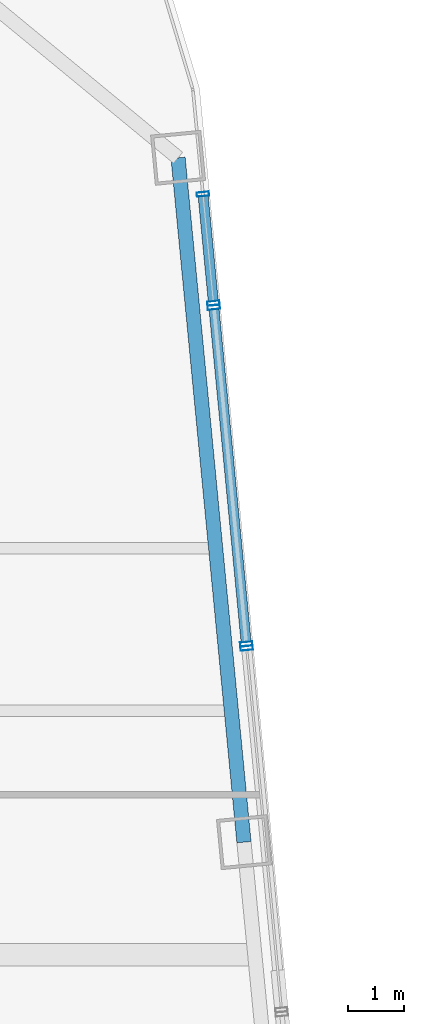
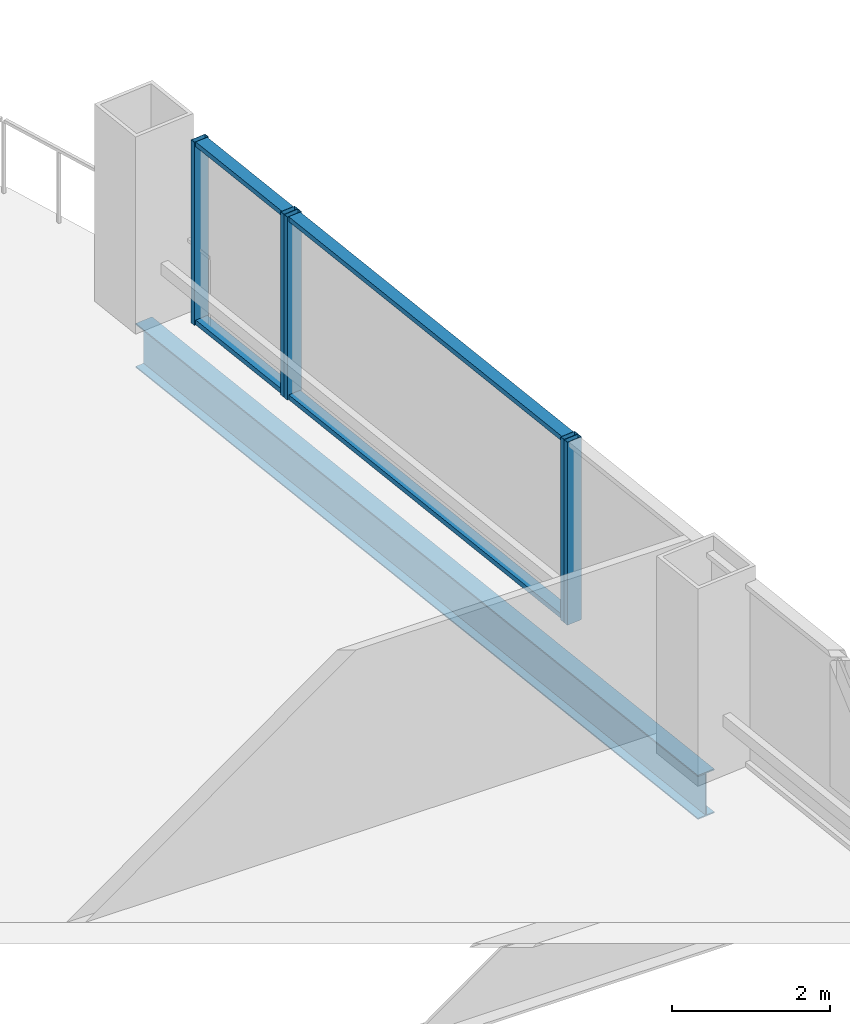
# One storey, part 26 of 34: 9 members, 1 beam, 3 elements without a shape of their own.
"""IFC4 building model written with IfcOpenShell, lengths in metres."""

from ifc_helpers import new_model, si_unit, direction, frame, origin, origin_2d, place, context, subcontext, project, spatial, hollow_rectangle, i_section, extrude, material, layer, layer_set, material_profile, profile_set, type_object, element, aggregate, save


model = new_model("IFC4")

# Units and contexts
model_context = context("Model", 3, precision=1e-05, world=origin(), true_north=direction((0.0, 1.0)))
body_context = subcontext(model_context, "Body", "Model", "MODEL_VIEW")
ifc_project = project(units=[si_unit("LENGTHUNIT", "METRE"), si_unit("AREAUNIT", "SQUARE_METRE"), si_unit("VOLUMEUNIT", "CUBIC_METRE"), si_unit("PLANEANGLEUNIT", "RADIAN"), si_unit("MASSUNIT", "GRAM", prefix="KILO")], contexts=[model_context])

# Site, building, storey
site_placement = place(None, origin())
site = spatial("IfcSite", under=ifc_project, at=site_placement, CompositionType="ELEMENT")
building_placement = place(site_placement, origin())
building = spatial("IfcBuilding", under=site, at=building_placement, Name="Qhalaya Broadcast Tower", CompositionType="ELEMENT")
storey_placement = place(building_placement, frame((0.0, 0.0, 78.60009765625)))
storey = spatial("IfcBuildingStorey", under=building, at=storey_placement, Name="L22", CompositionType="ELEMENT", Elevation=78.60009765625)

# Beam
ifc_material_1 = material(Name="Structural Steel ASTM A992 Grade 50", Category="steel")
ifc_material_profile_1 = material_profile(ifc_material_1, i_section(OverallWidth=0.25390625, OverallDepth=0.68310546875, WebThickness=0.012451171875, FlangeThickness=0.01904296875, at=origin_2d()), Name="W27X94")
ifc_profile_set_1 = profile_set([ifc_material_profile_1], Name="Structural Steel ASTM A992 Grade 50")
beam_type = type_object("IfcBeamType", Name="Perimeter Ring Spandrel Beam SP1", PredefinedType="SPANDREL", material=ifc_profile_set_1)
beam_placement = place(storey_placement, frame((26.941162109375, 11.955078125, -0.5615234375), z_axis=(-0.095851586307, 0.99539563662, 0.0), x_axis=(-0.99539563662, -0.095851586307, 0.0)))
element("IfcBeam", 1, at=beam_placement, inside=storey, type_object=beam_type, Name="L22 SP1 L22-SPR-07", PredefinedType="SPANDREL", context=body_context, shape_type="SweptSolid", body=[
    extrude(i_section(OverallWidth=0.25390625, OverallDepth=0.68310546875, WebThickness=0.012451171875, FlangeThickness=0.01904296875, at=origin_2d()), origin(), (0.0, 0.0, 1.0), 12.2666015625),
])

# Curtain wall, member
ifc_material_2 = material(Name="Solar-Control Low-E Triple Glazing", Category="glass")
ifc_layer_1 = layer(ifc_material_2, 0.219970703125, Name="Solar-Control Low-E Triple Glazing")
ifc_layer_set_1 = layer_set([ifc_layer_1], Name="Solar-Control Low-E Triple Glazing")
curtain_wall_type_1 = type_object("IfcCurtainWallType", Name="Even-Block 4-Storey Double-Module Curtain Wall CW-03", PredefinedType="NOTDEFINED", material=ifc_layer_set_1)
curtain_wall_1_placement = place(storey_placement, origin())
curtain_wall_1 = element("IfcCurtainWall", 2, at=curtain_wall_1_placement, inside=storey, type_object=curtain_wall_type_1, Name="L22 Unitised Curtain Wall L22-CW-E5", PredefinedType="NOTDEFINED")
ifc_material_3 = material(Name="Anodised Aluminium 6063-T6", Category="aluminium")
ifc_material_profile_2 = material_profile(ifc_material_3, hollow_rectangle(XDim=0.074951171875, YDim=0.219970703125, WallThickness=0.00390625, at=origin_2d()), Name="ALU-MUL 75x220x4")
ifc_profile_set_2 = profile_set([ifc_material_profile_2], Name="Anodised Aluminium 6063-T6")
member_type_1 = type_object("IfcMemberType", Name="Unitised Curtain-Wall Mullion M01", PredefinedType="MULLION", material=ifc_profile_set_2)
member_1_placement = place(storey_placement, frame((26.989501953125, 15.416748046875, 0.0), z_axis=(0.0, 0.0, 1.0), x_axis=(-0.095852453314, 0.995395553131, 0.0)))
member_1 = element("IfcMember", 3, at=member_1_placement, type_object=member_type_1, Name="CW-03 mullion 2", PredefinedType="MULLION", context=body_context, shape_type="SweptSolid", body=[
    extrude(hollow_rectangle(XDim=0.074951171875, YDim=0.219970703125, WallThickness=0.00390625, at=origin_2d()), origin(), (0.0, 0.0, 1.0), 2.829833984375),
])
aggregate(curtain_wall_1, [member_1])

# Curtain wall, members
ifc_material_4 = material(Name="Fired Architectural Terracotta", Category="masonry")
ifc_layer_2 = layer(ifc_material_4, 0.219970703125, Name="Fired Architectural Terracotta")
ifc_layer_set_2 = layer_set([ifc_layer_2], Name="Fired Architectural Terracotta")
curtain_wall_type_2 = type_object("IfcCurtainWallType", Name="Block-Cap Unitised Terracotta Spandrel Wall CW-07", PredefinedType="NOTDEFINED", material=ifc_layer_set_2)
curtain_wall_2_placement = place(storey_placement, origin())
curtain_wall_2 = element("IfcCurtainWall", 4, at=curtain_wall_2_placement, inside=storey, type_object=curtain_wall_type_2, Name="L22 Unitised Curtain Wall L22-CW-E6", PredefinedType="NOTDEFINED")
member_2_placement = place(storey_placement, frame((26.982421875, 15.4912109375, 0.0), z_axis=(0.0, 0.0, 1.0), x_axis=(-0.095841848125, 0.99539657431, 0.0)))
member_2 = element("IfcMember", 5, at=member_2_placement, type_object=member_type_1, Name="CW-07 mullion 1", PredefinedType="MULLION", context=body_context, shape_type="SweptSolid", body=[
    extrude(hollow_rectangle(XDim=0.074951171875, YDim=0.219970703125, WallThickness=0.00390625, at=origin_2d()), origin(), (0.0, 0.0, 1.0), 2.829833984375),
])
member_3_placement = place(storey_placement, frame((26.404052734375, 21.49755859375, 0.0), z_axis=(0.0, 0.0, 1.0), x_axis=(-0.095841848125, 0.99539657431, 0.0)))
member_3 = element("IfcMember", 6, at=member_3_placement, type_object=member_type_1, Name="CW-07 mullion 2", PredefinedType="MULLION", context=body_context, shape_type="SweptSolid", body=[
    extrude(hollow_rectangle(XDim=0.074951171875, YDim=0.219970703125, WallThickness=0.00390625, at=origin_2d()), origin(), (0.0, 0.0, 1.0), 2.829833984375),
])

curtain_wall_3_placement = place(storey_placement, origin())
curtain_wall_3 = element("IfcCurtainWall", 7, at=curtain_wall_3_placement, inside=storey, type_object=curtain_wall_type_1, Name="L22 Unitised Curtain Wall L22-CW-E7", PredefinedType="NOTDEFINED")
member_4_placement = place(storey_placement, frame((26.39697265625, 21.572265625, 0.0), z_axis=(0.0, 0.0, 1.0), x_axis=(-0.095857964978, 0.995395022366, 0.0)))
member_4 = element("IfcMember", 8, at=member_4_placement, type_object=member_type_1, Name="CW-03 mullion 1", PredefinedType="MULLION", context=body_context, shape_type="SweptSolid", body=[
    extrude(hollow_rectangle(XDim=0.074951171875, YDim=0.219970703125, WallThickness=0.00390625, at=origin_2d()), origin(), (0.0, 0.0, 1.0), 2.829833984375),
])
member_5_placement = place(storey_placement, frame((26.20947265625, 23.517333984375, 0.0), z_axis=(0.0, 0.0, 1.0), x_axis=(-0.095857964978, 0.995395022366, 0.0)))
member_5 = element("IfcMember", 9, at=member_5_placement, type_object=member_type_1, Name="CW-03 mullion 2", PredefinedType="MULLION", context=body_context, shape_type="SweptSolid", body=[
    extrude(hollow_rectangle(XDim=0.074951171875, YDim=0.219970703125, WallThickness=0.00390625, at=origin_2d()), origin(), (0.0, 0.0, 1.0), 2.829833984375),
])

# Member
ifc_material_profile_3 = material_profile(ifc_material_3, hollow_rectangle(XDim=0.074951171875, YDim=0.179931640625, WallThickness=0.00390625, at=origin_2d()), Name="ALU-TRN 75x180x4")
ifc_profile_set_3 = profile_set([ifc_material_profile_3], Name="Anodised Aluminium 6063-T6")
member_type_2 = type_object("IfcMemberType", Name="Unitised Curtain-Wall Transom T01", PredefinedType="USERDEFINED", material=ifc_profile_set_3)
member_6_placement = place(storey_placement, frame((26.978759765625, 15.528564453125, 0.037353515625), z_axis=(-0.095827943634, 0.995397913007, 0.0), x_axis=(0.0, 0.0, 1.0)))
member_6 = element("IfcMember", 10, at=member_6_placement, type_object=member_type_2, Name="CW-07 transom 1.1", ObjectType="TRANSOM", PredefinedType="USERDEFINED", context=body_context, shape_type="SweptSolid", body=[
    extrude(hollow_rectangle(XDim=0.074951171875, YDim=0.179931640625, WallThickness=0.00390625, at=origin_2d()), origin(), (0.0, 0.0, 1.0), 5.958984375),
])

member_7_placement = place(storey_placement, frame((26.978759765625, 15.528564453125, 2.79248046875), z_axis=(-0.095827943634, 0.995397913007, 0.0), x_axis=(0.0, 0.0, 1.0)))
member_7 = element("IfcMember", 11, at=member_7_placement, type_object=member_type_2, Name="CW-07 transom 1.2", ObjectType="TRANSOM", PredefinedType="USERDEFINED", context=body_context, shape_type="SweptSolid", body=[
    extrude(hollow_rectangle(XDim=0.074951171875, YDim=0.179931640625, WallThickness=0.00390625, at=origin_2d()), origin(), (0.0, 0.0, 1.0), 5.958984375),
])

aggregate(curtain_wall_2, [member_2, member_3, member_6, member_7])

member_8_placement = place(storey_placement, frame((26.393310546875, 21.609619140625, 0.037353515625), z_axis=(-0.095888184111, 0.995392111757, 0.0), x_axis=(0.0, 0.0, 1.0)))
member_8 = element("IfcMember", 12, at=member_8_placement, type_object=member_type_2, Name="CW-03 transom 1.1", ObjectType="TRANSOM", PredefinedType="USERDEFINED", context=body_context, shape_type="SweptSolid", body=[
    extrude(hollow_rectangle(XDim=0.074951171875, YDim=0.179931640625, WallThickness=0.00390625, at=origin_2d()), origin(), (0.0, 0.0, 1.0), 1.87890625),
])

member_9_placement = place(storey_placement, frame((26.393310546875, 21.609619140625, 2.79248046875), z_axis=(-0.095888184111, 0.995392111757, 0.0), x_axis=(0.0, 0.0, 1.0)))
member_9 = element("IfcMember", 13, at=member_9_placement, type_object=member_type_2, Name="CW-03 transom 1.2", ObjectType="TRANSOM", PredefinedType="USERDEFINED", context=body_context, shape_type="SweptSolid", body=[
    extrude(hollow_rectangle(XDim=0.074951171875, YDim=0.179931640625, WallThickness=0.00390625, at=origin_2d()), origin(), (0.0, 0.0, 1.0), 1.87890625),
])

aggregate(curtain_wall_3, [member_4, member_5, member_8, member_9])

save(model, "model.ifc")
